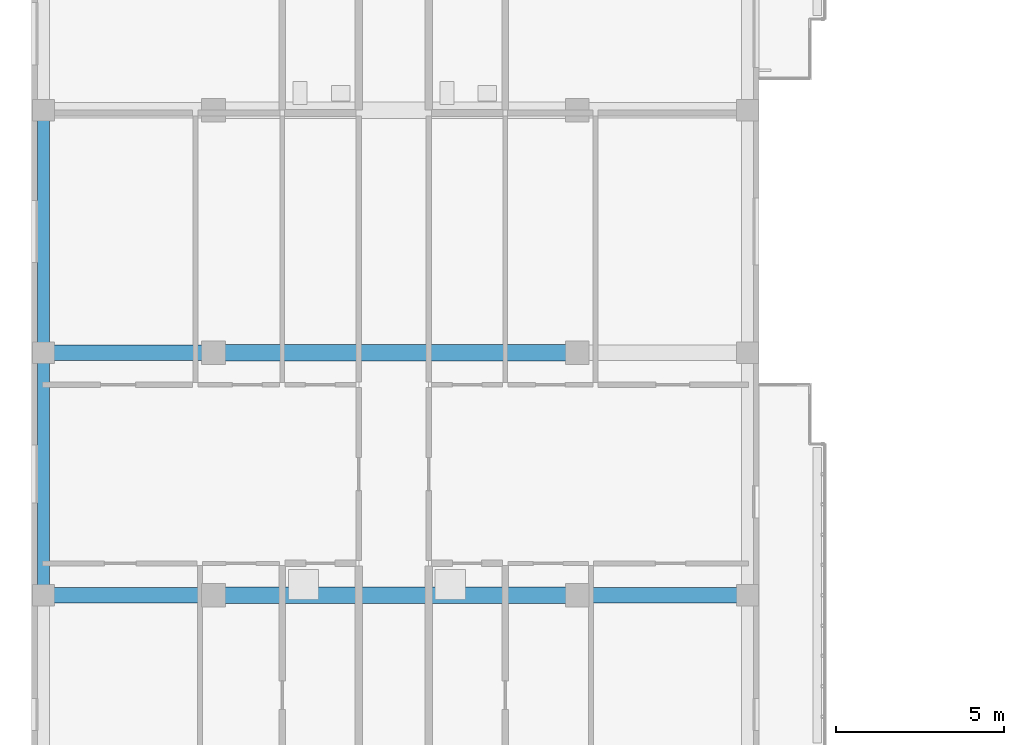
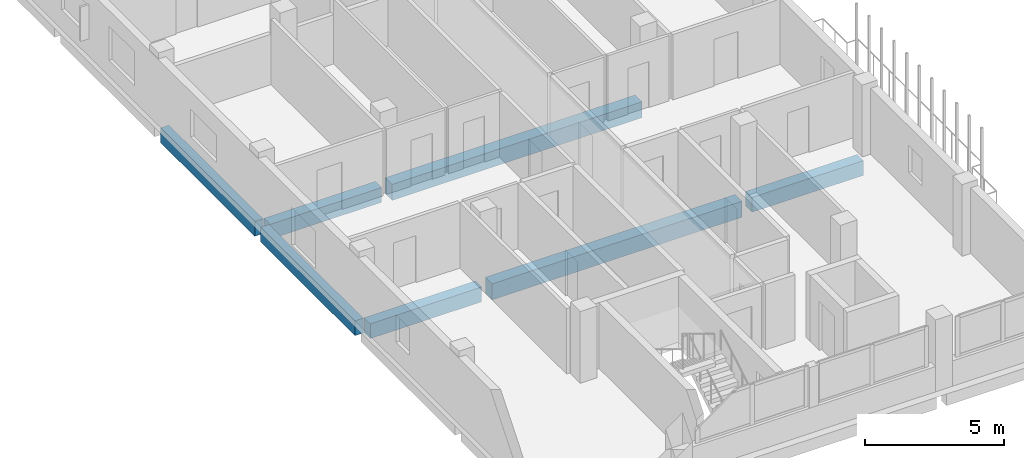
# One storey, part 10 of 51: 7 beams.
"""IFC4 building model written with IfcOpenShell, lengths in metres."""

from ifc_helpers import new_model, si_unit, derived_unit, direction, frame, origin, origin_2d, place, context, subcontext, project, spatial, rectangle, extrude, material, material_profile, profile_set, type_object, element, save


model = new_model("IFC4")

# Units and contexts
model_context = context("Model", 3, precision=1e-05, world=origin(), true_north=direction((0.0, 1.0)))
body_context = subcontext(model_context, "Body", "Model", "MODEL_VIEW")
ifc_project = project(units=[si_unit("LENGTHUNIT", "METRE"), si_unit("AREAUNIT", "SQUARE_METRE"), si_unit("VOLUMEUNIT", "CUBIC_METRE"), si_unit("PLANEANGLEUNIT", "RADIAN"), si_unit("MASSUNIT", "GRAM", prefix="KILO"), derived_unit("THERMALTRANSMITTANCEUNIT", [(si_unit("MASSUNIT", "GRAM", prefix="KILO"), 1), (si_unit("TIMEUNIT", "SECOND"), -3), (si_unit("THERMODYNAMICTEMPERATUREUNIT", "KELVIN"), -1)])], contexts=[model_context])

# Site, building, storey
site_placement = place(None, origin())
site = spatial("IfcSite", under=ifc_project, at=site_placement, CompositionType="ELEMENT")
building_placement = place(site_placement, origin())
building = spatial("IfcBuilding", under=site, at=building_placement, Name="Ochrekiln Boulevard Commons", CompositionType="ELEMENT")
storey_placement = place(building_placement, frame((0.0, 0.0, 15.22509765625)))
storey = spatial("IfcBuildingStorey", under=building, at=storey_placement, Name="L04", CompositionType="ELEMENT", Elevation=15.22509765625)

# Beams
ifc_material_1 = material(Name="Concrete C35/45", Category="concrete")
ifc_material_profile_1 = material_profile(ifc_material_1, rectangle(XDim=0.449951171875, YDim=0.64990234375, at=origin_2d()), Name="RC-BM-450x650")
ifc_profile_set_1 = profile_set([ifc_material_profile_1], Name="Concrete C35/45")
beam_type_1 = type_object("IfcBeamType", Name="BM-RC-450x650", PredefinedType="BEAM", material=ifc_profile_set_1)
beam_1_placement = place(storey_placement, frame((0.56005859375, 82.800048828125, -0.585205078125), z_axis=(1.0, 0.0, 0.0), x_axis=(0.0, 1.0, 0.0)))
element("IfcBeam", 1, at=beam_1_placement, inside=storey, type_object=beam_type_1, Name="Block A L04 Beam B-4565 X6", PredefinedType="BEAM", context=body_context, shape_type="SweptSolid", body=[
    extrude(rectangle(XDim=0.449951171875, YDim=0.64990234375, at=origin_2d()), origin(), (0.0, 0.0, 1.0), 4.6298828125),
])
beam_2_placement = place(storey_placement, frame((16.409912109375, 82.800048828125, -0.585205078125), z_axis=(1.0, 0.0, 0.0), x_axis=(0.0, 1.0, 0.0)))
element("IfcBeam", 2, at=beam_2_placement, inside=storey, type_object=beam_type_1, Name="Block A L04 Beam B-4565 X8", PredefinedType="BEAM", context=body_context, shape_type="SweptSolid", body=[
    extrude(rectangle(XDim=0.449951171875, YDim=0.64990234375, at=origin_2d()), origin(), (0.0, 0.0, 1.0), 4.630126953125),
])
beam_3_placement = place(storey_placement, frame((0.56005859375, 90.0, -0.585205078125), z_axis=(1.0, 0.0, 0.0), x_axis=(0.0, 1.0, 0.0)))
element("IfcBeam", 3, at=beam_3_placement, inside=storey, type_object=beam_type_1, Name="Block A L04 Beam B-4565 X9", PredefinedType="BEAM", context=body_context, shape_type="SweptSolid", body=[
    extrude(rectangle(XDim=0.449951171875, YDim=0.64990234375, at=origin_2d()), origin(), (0.0, 0.0, 1.0), 4.6298828125),
])
ifc_material_2 = material(Name="Concrete C40/50", Category="concrete")
ifc_material_profile_2 = material_profile(ifc_material_2, rectangle(XDim=0.5, YDim=0.699951171875, at=origin_2d()), Name="RC-BM-500x700")
ifc_profile_set_2 = profile_set([ifc_material_profile_2], Name="Concrete C40/50")
beam_type_2 = type_object("IfcBeamType", Name="BM-RC-500x700", PredefinedType="BEAM", material=ifc_profile_set_2)
for number, where, z_axis, x_axis, name in (
    (4, (5.610107421875, 82.800048828125, -0.610107421875), (1.0, 0.0, 0.0), (0.0, 1.0, 0.0), "Block A L04 Beam B-5070 X7"),
    (5, (5.610107421875, 90.0, -0.610107421875), (1.0, 0.0, 0.0), (0.0, 1.0, 0.0), "Block A L04 Beam B-5070 X10"),
):
    element("IfcBeam", number, at=place(storey_placement, frame(where, z_axis=z_axis, x_axis=x_axis)), inside=storey, type_object=beam_type_2, Name=name, PredefinedType="BEAM", context=body_context, shape_type="SweptSolid", body=[
        extrude(rectangle(XDim=0.5, YDim=0.699951171875, at=origin_2d()), origin(), (0.0, 0.0, 1.0), 10.3798828125),
    ])
ifc_material_profile_3 = material_profile(ifc_material_2, rectangle(XDim=0.35009765625, YDim=0.64990234375, at=origin_2d()), Name="RC-SPN-350x650")
ifc_profile_set_3 = profile_set([ifc_material_profile_3], Name="Concrete C40/50")
beam_type_3 = type_object("IfcBeamType", Name="SPN-RC-350x650", PredefinedType="SPANDREL", material=ifc_profile_set_3)
for number, where, z_axis, x_axis, name in (
    (6, (0.35009765625, 83.010009765625, -0.585205078125), (0.0, 1.0, 0.0), (-1.0, 0.0, 0.0), "Block A L04 Beam SP-3565 Y25"),
    (7, (0.35009765625, 90.2099609375, -0.585205078125), (0.0, 1.0, 0.0), (-1.0, 0.0, 0.0), "Block A L04 Beam SP-3565 Y26"),
):
    element("IfcBeam", number, at=place(storey_placement, frame(where, z_axis=z_axis, x_axis=x_axis)), inside=storey, type_object=beam_type_3, Name=name, PredefinedType="SPANDREL", context=body_context, shape_type="SweptSolid", body=[
        extrude(rectangle(XDim=0.35009765625, YDim=0.64990234375, at=origin_2d()), origin(), (0.0, 0.0, 1.0), 6.780029296875),
    ])

save(model, "model.ifc")
